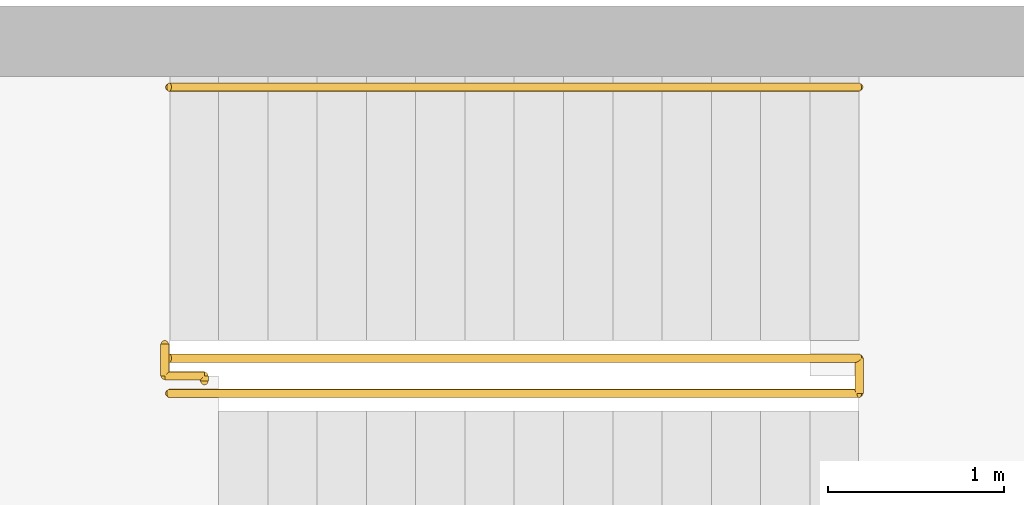
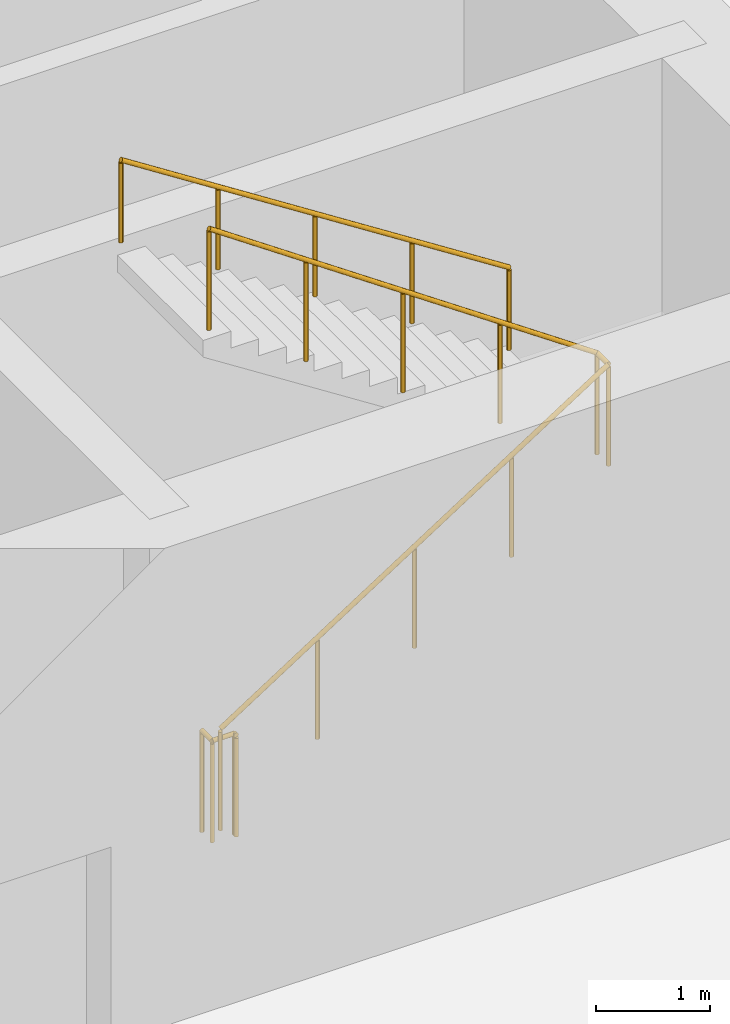
# One storey, part 26 of 31: 3 railings.
"""IFC4 building model written with IfcOpenShell, lengths in metres."""

import ifcopenshell
import ifcopenshell.guid

model = None  # the IFC model being written
_history = None  # IfcOwnerHistory: only IFC2X3 demands one
_inside = {}  # id of a spatial element -> (the spatial element, [elements in it])
_under = {}  # id of a project, library or spatial element -> (it, [spatial elements below it])
_declared = {}  # id of a project -> (the project, [libraries it declares])
_typed = {}  # id of a type object -> (the type object, [elements of that type])
_made_of = {}  # id of a material, layer set ... -> (it, [elements and type objects made of it])


def new_model(schema):
    """Start an empty IFC model of exactly this schema.

    Asked for "IFC4X3", IfcOpenShell would pick the latest addendum, in which some entities
    have other attributes; the version numbers below select the first issue.
    IFC2X3 requires an IfcOwnerHistory on every rooted entity: one is made here for all.
    """
    global model, _history
    if schema == "IFC4X3":
        model = ifcopenshell.file(schema_version=(4, 3, 0, 0))
    else:
        model = ifcopenshell.file(schema=schema)
    _inside.clear()
    _under.clear()
    _declared.clear()
    _typed.clear()
    _made_of.clear()
    _history = None
    if model.schema == "IFC2X3":
        org = make("IfcOrganization", Name="unknown")
        user = make(
            "IfcPersonAndOrganization",
            ThePerson=make("IfcPerson", FamilyName="unknown"),
            TheOrganization=org,
        )
        app = make(
            "IfcApplication",
            ApplicationDeveloper=org,
            Version="unknown",
            ApplicationFullName="unknown",
            ApplicationIdentifier="unknown",
        )
        _history = make(
            "IfcOwnerHistory",
            OwningUser=user,
            OwningApplication=app,
            ChangeAction="ADDED",
            CreationDate=0,
        )
    return model


def make(cls, **values):
    """One entity of the class cls with the attributes given. An attribute that is None is left unset."""
    return model.create_entity(
        cls, **{name: value for name, value in values.items() if value is not None}
    )


def rooted(cls, **values):
    """An entity with a GlobalId (a new one), such as an element, a storey or a relation."""
    return make(cls, GlobalId=ifcopenshell.guid.new(), OwnerHistory=_history, **values)


def si_unit(unit_type, name, prefix=None):
    """IfcSIUnit, for example si_unit("LENGTHUNIT", "METRE", prefix="MILLI")."""
    return make("IfcSIUnit", UnitType=unit_type, Prefix=prefix, Name=name)


def assignment(units):
    """IfcUnitAssignment: the units of a project."""
    return None if units is None else make("IfcUnitAssignment", Units=units)


def point(xyz):
    """IfcCartesianPoint."""
    return None if xyz is None else make("IfcCartesianPoint", Coordinates=xyz)


def direction(xyz):
    """IfcDirection."""
    return None if xyz is None else make("IfcDirection", DirectionRatios=xyz)


def frame(location, z_axis=None, x_axis=None):
    """IfcAxis2Placement3D, a coordinate frame: its origin and axes. An axis left out is left unset."""
    return make(
        "IfcAxis2Placement3D",
        Location=point(location),
        Axis=direction(z_axis),
        RefDirection=direction(x_axis),
    )


def frame_2d(location, x_axis=None):
    """IfcAxis2Placement2D, a coordinate frame in the plane: its origin and x axis."""
    return make(
        "IfcAxis2Placement2D", Location=point(location), RefDirection=direction(x_axis)
    )


def origin():
    """The frame at (0, 0, 0) with its axes left unset."""
    return frame((0.0, 0.0, 0.0))


def origin_2d():
    """The frame at (0, 0) in the plane with its x axis left unset."""
    return frame_2d((0.0, 0.0))


def place(relative_to, where):
    """IfcLocalPlacement: puts the frame where relative to a parent placement (None: the world)."""
    return make(
        "IfcLocalPlacement", PlacementRelTo=relative_to, RelativePlacement=where
    )


def context(
    kind, dimensions, precision=None, world=None, true_north=None, identifier=None
):
    """IfcGeometricRepresentationContext, for example the 3D "Model" context."""
    return make(
        "IfcGeometricRepresentationContext",
        ContextIdentifier=identifier,
        ContextType=kind,
        CoordinateSpaceDimension=dimensions,
        Precision=precision,
        WorldCoordinateSystem=world,
        TrueNorth=true_north,
    )


def subcontext(parent, identifier, kind, view, scale=None):
    """IfcGeometricRepresentationSubContext, for example "Body" below "Model"."""
    return make(
        "IfcGeometricRepresentationSubContext",
        ContextIdentifier=identifier,
        ContextType=kind,
        ParentContext=parent,
        TargetScale=scale,
        TargetView=view,
    )


def project(units=None, contexts=None):
    """IfcProject with its units and contexts."""
    return rooted(
        "IfcProject",
        Name="project",
        RepresentationContexts=contexts,
        UnitsInContext=assignment(units),
    )


def spatial(cls, under=None, at=None, **own):
    """A site, building, storey or space (cls), placed at a placement, below another one or the project."""
    s = rooted(cls, ObjectPlacement=at, **own)
    if under is not None:
        _under.setdefault(under.id(), (under, []))[1].append(s)
    return s


def profile(cls, at=None, kind="AREA", **sizes):
    """A parametric profile (cls). Its sizes go by their IFC names, for example OverallWidth=200.0."""
    return make(cls, ProfileType=kind, Position=at, **sizes)


def circle(**sizes):
    """IfcCircleProfileDef."""
    return profile("IfcCircleProfileDef", **sizes)


def extrude(swept, where, along, depth):
    """IfcExtrudedAreaSolid: the profile swept, set in the frame where, extruded along a direction by depth."""
    return make(
        "IfcExtrudedAreaSolid",
        SweptArea=swept,
        Position=where,
        ExtrudedDirection=direction(along),
        Depth=depth,
    )


def shape(context_of_items, identifier, shape_type, items):
    """IfcShapeRepresentation: the items that make up one representation, for example the "Body"."""
    return make(
        "IfcShapeRepresentation",
        ContextOfItems=context_of_items,
        RepresentationIdentifier=identifier,
        RepresentationType=shape_type,
        Items=items,
    )


def material(Name=None, Category=None):
    """IfcMaterial."""
    return make("IfcMaterial", Name=Name, Category=Category)


def made_of(thing, what):
    """Note that an element or type object is made of a material, layer set ...; save() writes the relation."""
    if what is not None:
        _made_of.setdefault(what.id(), (what, []))[1].append(thing)
    return thing


def type_object(cls, material=None, **own):
    """A type object (cls), such as IfcWallType, which elements share."""
    return made_of(rooted(cls, **own), material)


def element(
    cls,
    number,
    at=None,
    inside=None,
    cuts=None,
    type_object=None,
    material=None,
    context=None,
    identifier="Body",
    shape_type=None,
    held_by="IfcProductDefinitionShape",
    body=None,
    shapes=None,
    **own,
):
    """One element of the class cls, such as IfcWall. Its Tag is "e" and its number.

    at: its placement. inside: the storey or other place that contains it. cuts: it is an
    opening in that element (IfcRelVoidsElement). A single representation is given by context,
    identifier, shape_type and body (its items); several are given by shapes. held_by: the class
    of the entity that holds the representations. save() writes the other relations.
    """
    e = rooted(cls, Tag="e%d" % number, ObjectPlacement=at, **own)
    if body is not None:
        shapes = [shape(context, identifier, shape_type, body)]
    if shapes is not None:
        e.Representation = make(held_by, Representations=shapes)
    if inside is not None:
        _inside.setdefault(inside.id(), (inside, []))[1].append(e)
    if cuts is not None:
        rooted(
            "IfcRelVoidsElement", RelatingBuildingElement=cuts, RelatedOpeningElement=e
        )
    if type_object is not None:
        _typed.setdefault(type_object.id(), (type_object, []))[1].append(e)
    return made_of(e, material)


def aggregate(whole, parts):
    """IfcRelAggregates: a whole, such as a stair, and the parts it consists of."""
    return rooted("IfcRelAggregates", RelatingObject=whole, RelatedObjects=parts)


def save(model, path):
    """Write the relations noted so far, then the file.

    IfcRelAggregates (storeys below a building ...), IfcRelContainedInSpatialStructure (elements
    in a storey), IfcRelDefinesByType, IfcRelAssociatesMaterial and IfcRelDeclares: one each for
    every whole, place, type object, material and project.
    """
    for whole, parts in _under.values():
        aggregate(whole, parts)
    for where, things in _inside.values():
        rooted(
            "IfcRelContainedInSpatialStructure",
            RelatedElements=things,
            RelatingStructure=where,
        )
    for kind, things in _typed.values():
        rooted("IfcRelDefinesByType", RelatedObjects=things, RelatingType=kind)
    for what, things in _made_of.values():
        rooted("IfcRelAssociatesMaterial", RelatedObjects=things, RelatingMaterial=what)
    for by, libraries in _declared.values():
        rooted("IfcRelDeclares", RelatingContext=by, RelatedDefinitions=libraries)
    model.write(path)


model = new_model("IFC4")

# Units and contexts
model_context = context("Model", 3, precision=1e-05, world=origin(), true_north=direction((0.0, 1.0)))
body_context = subcontext(model_context, "Body", "Model", "MODEL_VIEW")
ifc_project = project(units=[si_unit("LENGTHUNIT", "METRE"), si_unit("AREAUNIT", "SQUARE_METRE"), si_unit("VOLUMEUNIT", "CUBIC_METRE"), si_unit("PLANEANGLEUNIT", "RADIAN"), si_unit("MASSUNIT", "GRAM", prefix="KILO")], contexts=[model_context])

# Site, building, storey
site_placement = place(None, origin())
site = spatial("IfcSite", under=ifc_project, at=site_placement, CompositionType="ELEMENT")
building_placement = place(site_placement, origin())
building = spatial("IfcBuilding", under=site, at=building_placement, Name="Claustro Exchange Tower", CompositionType="ELEMENT")
storey_placement = place(building_placement, origin())
storey = spatial("IfcBuildingStorey", under=building, at=storey_placement, Name="L00", CompositionType="ELEMENT", Elevation=0.0)

# Railings
ifc_material_1 = material(Name="Steel balustrade, painted", Category="steel")
railing_type_1 = type_object("IfcRailingType", Name="GR2 1100 steel stair guard", PredefinedType="GUARDRAIL", material=ifc_material_1)
railing_1_placement = place(storey_placement, frame((45.199951171875, 15.10009765625, 0.179931640625)))
element("IfcRailing", 1, at=railing_1_placement, inside=storey, type_object=railing_type_1, Name="Stair well guard GR2 stair STEA L00", PredefinedType="GUARDRAIL", context=body_context, shape_type="SweptSolid", body=[
    extrude(circle(Radius=0.02392578125, at=origin_2d()), frame((0.0, 0.0, 1.076171875), z_axis=(0.841186985886, 0.0, 0.540744352514), x_axis=(0.0, 1.0, 0.0)), (0.0, 0.0, 1.0), 4.660400390625),
    extrude(circle(Radius=0.02392578125, at=origin_2d()), frame((3.920166015625, 0.0, 3.59619140625), z_axis=(0.0, 1.0, 0.0), x_axis=(-1.0, 0.0, 0.0)), (0.0, 0.0, 1.0), 0.199951171875),
    extrude(circle(Radius=0.02392578125, at=origin_2d()), frame((3.920166015625, 0.199951171875, 3.59619140625), z_axis=(-0.823567234665, 0.0, 0.567218661528), x_axis=(0.0, -1.0, 0.0)), (0.0, 0.0, 1.0), 4.760009765625),
    extrude(circle(Radius=0.02099609375, at=origin_2d()), origin(), (0.0, 0.0, 1.0), 1.052001953125),
    extrude(circle(Radius=0.02099609375, at=origin_2d()), frame((0.97998046875, 0.0, 0.6298828125)), (0.0, 0.0, 1.0), 1.052001953125),
    extrude(circle(Radius=0.02099609375, at=origin_2d()), frame((1.9599609375, 0.0, 1.260009765625)), (0.0, 0.0, 1.0), 1.052001953125),
    extrude(circle(Radius=0.02099609375, at=origin_2d()), frame((2.940185546875, 0.0, 1.89013671875)), (0.0, 0.0, 1.0), 1.052001953125),
    extrude(circle(Radius=0.02099609375, at=origin_2d()), frame((3.920166015625, 0.0, 2.52001953125)), (0.0, 0.0, 1.0), 1.052001953125),
    extrude(circle(Radius=0.02099609375, at=origin_2d()), frame((3.920166015625, 0.199951171875, 2.52001953125)), (0.0, 0.0, 1.0), 1.052001953125),
    extrude(circle(Radius=0.02099609375, at=origin_2d()), frame((2.940185546875, 0.199951171875, 3.195068359375)), (0.0, 0.0, 1.0), 1.052001953125),
    extrude(circle(Radius=0.02099609375, at=origin_2d()), frame((1.9599609375, 0.199951171875, 3.8701171875)), (0.0, 0.0, 1.0), 1.052001953125),
    extrude(circle(Radius=0.02099609375, at=origin_2d()), frame((0.97998046875, 0.199951171875, 4.544921875)), (0.0, 0.0, 1.0), 1.052001953125),
    extrude(circle(Radius=0.02099609375, at=origin_2d()), frame((0.0, 0.199951171875, 5.219970703125)), (0.0, 0.0, 1.0), 1.052001953125),
])
railing_2_placement = place(storey_placement, frame((45.39990234375, 15.169921875, 0.0)))
element("IfcRailing", 2, at=railing_2_placement, inside=storey, type_object=railing_type_1, Name="Stair guard GR2 STEA L00", PredefinedType="GUARDRAIL", context=body_context, shape_type="SweptSolid", body=[
    extrude(circle(Radius=0.02392578125, at=origin_2d()), frame((0.0, 0.0, 1.076171875), z_axis=(0.0, 1.0, 0.0), x_axis=(-1.0, 0.0, 0.0)), (0.0, 0.0, 1.0), 0.030029296875),
    extrude(circle(Radius=0.02392578125, at=origin_2d()), frame((0.0, 0.030029296875, 1.076171875), z_axis=(-1.0, 0.0, 0.0), x_axis=(0.0, -1.0, 0.0)), (0.0, 0.0, 1.0), 0.224853515625),
    extrude(circle(Radius=0.02392578125, at=origin_2d()), frame((-0.224853515625, 0.030029296875, 1.076171875), z_axis=(0.0, 1.0, 0.0), x_axis=(-1.0, 0.0, 0.0)), (0.0, 0.0, 1.0), 0.179931640625),
    extrude(circle(Radius=0.02099609375, at=origin_2d()), origin(), (0.0, 0.0, 1.0), 1.052001953125),
    extrude(circle(Radius=0.02099609375, at=origin_2d()), frame((0.0, 0.030029296875, 0.0)), (0.0, 0.0, 1.0), 1.052001953125),
    extrude(circle(Radius=0.02099609375, at=origin_2d()), frame((-0.224853515625, 0.030029296875, 0.0)), (0.0, 0.0, 1.0), 1.052001953125),
    extrude(circle(Radius=0.02099609375, at=origin_2d()), frame((-0.224853515625, 0.2099609375, 0.0)), (0.0, 0.0, 1.0), 1.052001953125),
])
ifc_material_2 = material(Name="Stainless steel tube", Category="steel")
railing_type_2 = type_object("IfcRailingType", Name="HR1 900 stair handrail", PredefinedType="HANDRAIL", material=ifc_material_2)
railing_3_placement = place(storey_placement, frame((49.1201171875, 16.840087890625, 2.8798828125)))
element("IfcRailing", 3, at=railing_3_placement, inside=storey, type_object=railing_type_2, Name="Handrail HR1 stair STEA L00", PredefinedType="HANDRAIL", context=body_context, shape_type="SweptSolid", body=[
    extrude(circle(Radius=0.02392578125, at=origin_2d()), frame((0.0, 0.0, 0.8759765625), z_axis=(-0.841186985886, 0.0, 0.540744352514), x_axis=(0.0, -1.0, 0.0)), (0.0, 0.0, 1.0), 4.660400390625),
    extrude(circle(Radius=0.02099609375, at=origin_2d()), origin(), (0.0, 0.0, 1.0), 0.851806640625),
    extrude(circle(Radius=0.02099609375, at=origin_2d()), frame((-0.97998046875, 0.0, 0.6298828125)), (0.0, 0.0, 1.0), 0.851806640625),
    extrude(circle(Radius=0.02099609375, at=origin_2d()), frame((-1.9599609375, 0.0, 1.260009765625)), (0.0, 0.0, 1.0), 0.851806640625),
    extrude(circle(Radius=0.02099609375, at=origin_2d()), frame((-2.940185546875, 0.0, 1.89013671875)), (0.0, 0.0, 1.0), 0.851806640625),
    extrude(circle(Radius=0.02099609375, at=origin_2d()), frame((-3.920166015625, 0.0, 2.52001953125)), (0.0, 0.0, 1.0), 0.851806640625),
])

save(model, "model.ifc")
